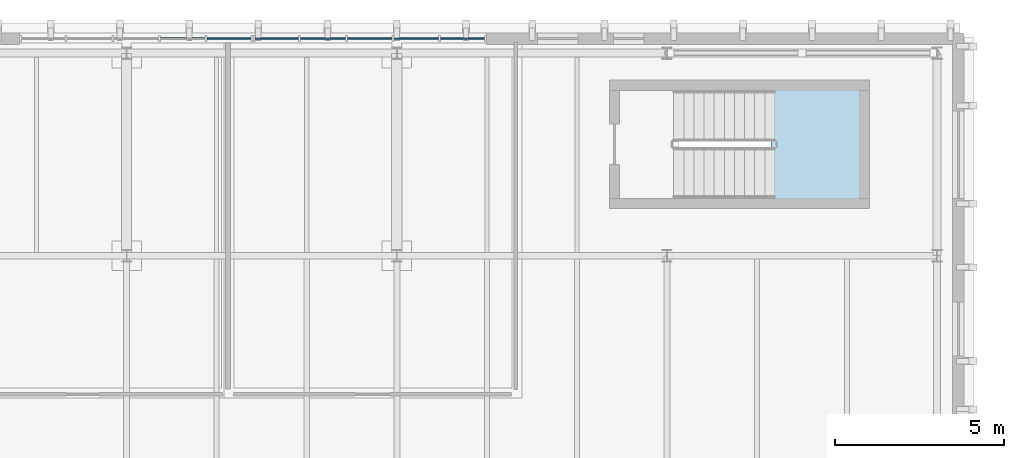
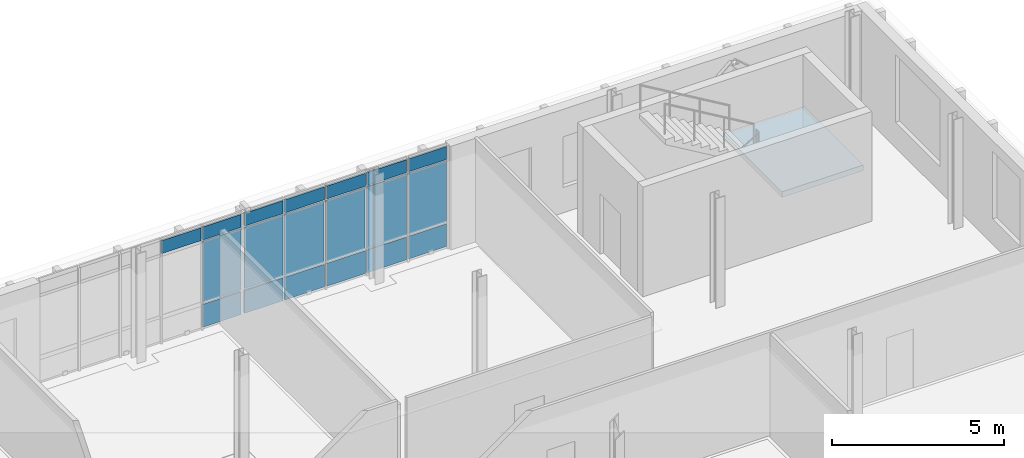
# One storey, part 18 of 43: 19 plates, 1 slab, 3 elements without a shape of their own.
"""IFC4 building model written with IfcOpenShell, lengths in metres."""

from ifc_helpers import new_model, si_unit, direction, frame, origin, origin_2d, place, context, subcontext, project, spatial, polyline, rectangle, outline, extrude, material, layer, layer_set, type_object, element, aggregate, save


model = new_model("IFC4")

# Units and contexts
model_context = context("Model", 3, precision=1e-05, world=origin(), true_north=direction((0.0, 1.0)))
body_context = subcontext(model_context, "Body", "Model", "MODEL_VIEW")
ifc_project = project(units=[si_unit("LENGTHUNIT", "METRE"), si_unit("AREAUNIT", "SQUARE_METRE"), si_unit("VOLUMEUNIT", "CUBIC_METRE"), si_unit("PLANEANGLEUNIT", "RADIAN"), si_unit("MASSUNIT", "GRAM", prefix="KILO")], contexts=[model_context])

# Site, building, storey
site_placement = place(None, origin())
site = spatial("IfcSite", under=ifc_project, at=site_placement, CompositionType="ELEMENT")
building_placement = place(site_placement, origin())
building = spatial("IfcBuilding", under=site, at=building_placement, Name="Cymarion Research Institute", CompositionType="ELEMENT")
storey_placement = place(building_placement, frame((0.0, 0.0, 22.800048828125)))
storey = spatial("IfcBuildingStorey", under=building, at=storey_placement, Name="L05", CompositionType="ELEMENT", Elevation=22.800048828125)

# Curtain wall, plates
ifc_material_1 = material(Name="Anodised aluminium unitised curtain wall with Low-E glazing", Category="aluminium")
curtain_wall_type = type_object("IfcCurtainWallType", Name="UNITISED CURTAIN WALL CW55 6910X3680", PredefinedType="NOTDEFINED", material=ifc_material_1)
curtain_wall_1_placement = place(storey_placement, origin())
curtain_wall_1 = element("IfcCurtainWall", 1, at=curtain_wall_1_placement, inside=storey, type_object=curtain_wall_type, Name="L05 V5 unitised curtain wall CW55 #210", PredefinedType="NOTDEFINED")
ifc_material_2 = material(Name="Insulated anodised aluminium spandrel panel", Category="aluminium")
ifc_layer_1 = layer(ifc_material_2, 0.06005859375)
ifc_layer_set_1 = layer_set([ifc_layer_1], Name="Insulated anodised aluminium spandrel panel")
plate_type_1 = type_object("IfcPlateType", Name="INSULATED ALUMINIUM SPANDREL PANEL SP01 60MM", PredefinedType="SHEET", material=ifc_layer_set_1)
plate_1_placement = place(storey_placement, frame((32.545654296875, 115.929931640625, 0.059814453125), z_axis=(0.0, 0.0, 1.0), x_axis=(-1.0, 0.0, 0.0)))
plate_1 = element("IfcPlate", 2, at=plate_1_placement, type_object=plate_type_1, Name="CW55 panel 1.1", PredefinedType="SHEET", context=body_context, shape_type="SweptSolid", body=[
    extrude(rectangle(XDim=1.29248046875, YDim=0.06005859375, at=origin_2d()), origin(), (0.0, 0.0, 1.0), 0.81005859375),
])
plate_2_placement = place(storey_placement, frame((32.545654296875, 115.929931640625, 3.159912109375), z_axis=(0.0, 0.0, 1.0), x_axis=(-1.0, 0.0, 0.0)))
plate_2 = element("IfcPlate", 3, at=plate_2_placement, type_object=plate_type_1, Name="CW55 panel 1.3", PredefinedType="SHEET", context=body_context, shape_type="SweptSolid", body=[
    extrude(rectangle(XDim=1.29248046875, YDim=0.06005859375, at=origin_2d()), origin(), (0.0, 0.0, 1.0), 0.4599609375),
])
plate_3_placement = place(storey_placement, frame((31.177978515625, 115.929931640625, 0.059814453125), z_axis=(0.0, 0.0, 1.0), x_axis=(-1.0, 0.0, 0.0)))
plate_3 = element("IfcPlate", 4, at=plate_3_placement, type_object=plate_type_1, Name="CW55 panel 2.1", PredefinedType="SHEET", context=body_context, shape_type="SweptSolid", body=[
    extrude(rectangle(XDim=1.322509765625, YDim=0.06005859375, at=origin_2d()), origin(), (0.0, 0.0, 1.0), 0.81005859375),
])
plate_4_placement = place(storey_placement, frame((31.177978515625, 115.929931640625, 3.159912109375), z_axis=(0.0, 0.0, 1.0), x_axis=(-1.0, 0.0, 0.0)))
plate_4 = element("IfcPlate", 5, at=plate_4_placement, type_object=plate_type_1, Name="CW55 panel 2.3", PredefinedType="SHEET", context=body_context, shape_type="SweptSolid", body=[
    extrude(rectangle(XDim=1.322509765625, YDim=0.06005859375, at=origin_2d()), origin(), (0.0, 0.0, 1.0), 0.4599609375),
])
plate_5_placement = place(storey_placement, frame((29.79541015625, 115.929931640625, 0.059814453125), z_axis=(0.0, 0.0, 1.0), x_axis=(-1.0, 0.0, 0.0)))
plate_5 = element("IfcPlate", 6, at=plate_5_placement, type_object=plate_type_1, Name="CW55 panel 3.1", PredefinedType="SHEET", context=body_context, shape_type="SweptSolid", body=[
    extrude(rectangle(XDim=1.322509765625, YDim=0.06005859375, at=origin_2d()), origin(), (0.0, 0.0, 1.0), 0.81005859375),
])
plate_6_placement = place(storey_placement, frame((29.79541015625, 115.929931640625, 3.159912109375), z_axis=(0.0, 0.0, 1.0), x_axis=(-1.0, 0.0, 0.0)))
plate_6 = element("IfcPlate", 7, at=plate_6_placement, type_object=plate_type_1, Name="CW55 panel 3.3", PredefinedType="SHEET", context=body_context, shape_type="SweptSolid", body=[
    extrude(rectangle(XDim=1.322509765625, YDim=0.06005859375, at=origin_2d()), origin(), (0.0, 0.0, 1.0), 0.4599609375),
])
plate_7_placement = place(storey_placement, frame((28.412841796875, 115.929931640625, 0.059814453125), z_axis=(0.0, 0.0, 1.0), x_axis=(-1.0, 0.0, 0.0)))
plate_7 = element("IfcPlate", 8, at=plate_7_placement, type_object=plate_type_1, Name="CW55 panel 4.1", PredefinedType="SHEET", context=body_context, shape_type="SweptSolid", body=[
    extrude(rectangle(XDim=1.322509765625, YDim=0.06005859375, at=origin_2d()), origin(), (0.0, 0.0, 1.0), 0.81005859375),
])
plate_8_placement = place(storey_placement, frame((28.412841796875, 115.929931640625, 3.159912109375), z_axis=(0.0, 0.0, 1.0), x_axis=(-1.0, 0.0, 0.0)))
plate_8 = element("IfcPlate", 9, at=plate_8_placement, type_object=plate_type_1, Name="CW55 panel 4.3", PredefinedType="SHEET", context=body_context, shape_type="SweptSolid", body=[
    extrude(rectangle(XDim=1.322509765625, YDim=0.06005859375, at=origin_2d()), origin(), (0.0, 0.0, 1.0), 0.4599609375),
])
plate_9_placement = place(storey_placement, frame((27.04541015625, 115.929931640625, 0.059814453125), z_axis=(0.0, 0.0, 1.0), x_axis=(-1.0, 0.0, 0.0)))
plate_9 = element("IfcPlate", 10, at=plate_9_placement, type_object=plate_type_1, Name="CW55 panel 5.1", PredefinedType="SHEET", context=body_context, shape_type="SweptSolid", body=[
    extrude(rectangle(XDim=1.29248046875, YDim=0.06005859375, at=origin_2d()), origin(), (0.0, 0.0, 1.0), 0.81005859375),
])
plate_10_placement = place(storey_placement, frame((27.04541015625, 115.929931640625, 3.159912109375), z_axis=(0.0, 0.0, 1.0), x_axis=(-1.0, 0.0, 0.0)))
plate_10 = element("IfcPlate", 11, at=plate_10_placement, type_object=plate_type_1, Name="CW55 panel 5.3", PredefinedType="SHEET", context=body_context, shape_type="SweptSolid", body=[
    extrude(rectangle(XDim=1.29248046875, YDim=0.06005859375, at=origin_2d()), origin(), (0.0, 0.0, 1.0), 0.4599609375),
])

curtain_wall_2_placement = place(storey_placement, origin())
curtain_wall_2 = element("IfcCurtainWall", 12, at=curtain_wall_2_placement, inside=storey, type_object=curtain_wall_type, Name="L05 V5 unitised curtain wall CW55 #211", PredefinedType="NOTDEFINED")
plate_11_placement = place(storey_placement, frame((25.6328125, 115.929931640625, 0.059814453125), z_axis=(0.0, 0.0, 1.0), x_axis=(-1.0, 0.0, 0.0)))
plate_11 = element("IfcPlate", 13, at=plate_11_placement, type_object=plate_type_1, Name="CW55 panel 1.1", PredefinedType="SHEET", context=body_context, shape_type="SweptSolid", body=[
    extrude(rectangle(XDim=1.29248046875, YDim=0.06005859375, at=origin_2d()), origin(), (0.0, 0.0, 1.0), 0.81005859375),
])
plate_12_placement = place(storey_placement, frame((25.6328125, 115.929931640625, 3.159912109375), z_axis=(0.0, 0.0, 1.0), x_axis=(-1.0, 0.0, 0.0)))
plate_12 = element("IfcPlate", 14, at=plate_12_placement, type_object=plate_type_1, Name="CW55 panel 1.3", PredefinedType="SHEET", context=body_context, shape_type="SweptSolid", body=[
    extrude(rectangle(XDim=1.29248046875, YDim=0.06005859375, at=origin_2d()), origin(), (0.0, 0.0, 1.0), 0.4599609375),
])
plate_13_placement = place(storey_placement, frame((24.26513671875, 115.929931640625, 3.159912109375), z_axis=(0.0, 0.0, 1.0), x_axis=(-1.0, 0.0, 0.0)))
plate_13 = element("IfcPlate", 15, at=plate_13_placement, type_object=plate_type_1, Name="CW55 panel 2.3", PredefinedType="SHEET", context=body_context, shape_type="SweptSolid", body=[
    extrude(rectangle(XDim=1.322509765625, YDim=0.06005859375, at=origin_2d()), origin(), (0.0, 0.0, 1.0), 0.4599609375),
])

# Stair, slab
ifc_material_3 = material(Name="Concrete C35/45", Category="concrete")
stair_type = type_object("IfcStairType", Name="REINFORCED CONCRETE DOGLEG STAIR STR-3900", PredefinedType="HALF_TURN_STAIR", material=ifc_material_3)
stair_placement = place(storey_placement, origin())
stair = element("IfcStair", 16, at=stair_placement, inside=storey, type_object=stair_type, Name="L05 Core C10 Smoke-Proof Exit Stair ST10", PredefinedType="HALF_TURN_STAIR")
ifc_layer_2 = layer(ifc_material_3, 0.199951171875)
ifc_layer_set_2 = layer_set([ifc_layer_2], Name="Concrete C35/45")
slab_type = type_object("IfcSlabType", Name="REINFORCED CONCRETE STAIR LANDING LDG200", PredefinedType="LANDING", material=ifc_layer_set_2)
slab_placement = place(storey_placement, frame((0.0, 0.0, 1.75)))
slab = element("IfcSlab", 17, at=slab_placement, type_object=slab_type, Name="ST10 landing 1", PredefinedType="LANDING", context=body_context, shape_type="SweptSolid", body=[
    extrude(outline(polyline([(41.679931640625, 111.080078125), (41.679931640625, 114.52001953125), (44.419921875, 114.52001953125), (44.419921875, 111.080078125), (41.679931640625, 111.080078125)])), origin(), (0.0, 0.0, 1.0), 0.199951171875),
])
aggregate(stair, [slab])

# Plate
ifc_material_4 = material(Name="Low-E double solar-control glazing", Category="glass")
ifc_layer_3 = layer(ifc_material_4, 0.035888671875)
ifc_layer_set_3 = layer_set([ifc_layer_3], Name="Low-E double solar-control glazing")
plate_type_2 = type_object("IfcPlateType", Name="SOLAR CONTROL GLAZED VISION PANEL GP01 36MM", PredefinedType="CURTAIN_PANEL", material=ifc_layer_set_3)
plate_14_placement = place(storey_placement, frame((32.545654296875, 115.929931640625, 0.929931640625), z_axis=(0.0, 0.0, 1.0), x_axis=(-1.0, 0.0, 0.0)))
plate_14 = element("IfcPlate", 18, at=plate_14_placement, type_object=plate_type_2, Name="CW55 panel 1.2", PredefinedType="CURTAIN_PANEL", context=body_context, shape_type="SweptSolid", body=[
    extrude(rectangle(XDim=1.29248046875, YDim=0.035888671875, at=origin_2d()), origin(), (0.0, 0.0, 1.0), 2.169921875),
])

plate_15_placement = place(storey_placement, frame((31.177978515625, 115.929931640625, 0.929931640625), z_axis=(0.0, 0.0, 1.0), x_axis=(-1.0, 0.0, 0.0)))
plate_15 = element("IfcPlate", 19, at=plate_15_placement, type_object=plate_type_2, Name="CW55 panel 2.2", PredefinedType="CURTAIN_PANEL", context=body_context, shape_type="SweptSolid", body=[
    extrude(rectangle(XDim=1.322509765625, YDim=0.035888671875, at=origin_2d()), origin(), (0.0, 0.0, 1.0), 2.169921875),
])

plate_16_placement = place(storey_placement, frame((29.79541015625, 115.929931640625, 0.929931640625), z_axis=(0.0, 0.0, 1.0), x_axis=(-1.0, 0.0, 0.0)))
plate_16 = element("IfcPlate", 20, at=plate_16_placement, type_object=plate_type_2, Name="CW55 panel 3.2", PredefinedType="CURTAIN_PANEL", context=body_context, shape_type="SweptSolid", body=[
    extrude(rectangle(XDim=1.322509765625, YDim=0.035888671875, at=origin_2d()), origin(), (0.0, 0.0, 1.0), 2.169921875),
])

plate_17_placement = place(storey_placement, frame((28.412841796875, 115.929931640625, 0.929931640625), z_axis=(0.0, 0.0, 1.0), x_axis=(-1.0, 0.0, 0.0)))
plate_17 = element("IfcPlate", 21, at=plate_17_placement, type_object=plate_type_2, Name="CW55 panel 4.2", PredefinedType="CURTAIN_PANEL", context=body_context, shape_type="SweptSolid", body=[
    extrude(rectangle(XDim=1.322509765625, YDim=0.035888671875, at=origin_2d()), origin(), (0.0, 0.0, 1.0), 2.169921875),
])

plate_18_placement = place(storey_placement, frame((27.04541015625, 115.929931640625, 0.929931640625), z_axis=(0.0, 0.0, 1.0), x_axis=(-1.0, 0.0, 0.0)))
plate_18 = element("IfcPlate", 22, at=plate_18_placement, type_object=plate_type_2, Name="CW55 panel 5.2", PredefinedType="CURTAIN_PANEL", context=body_context, shape_type="SweptSolid", body=[
    extrude(rectangle(XDim=1.29248046875, YDim=0.035888671875, at=origin_2d()), origin(), (0.0, 0.0, 1.0), 2.169921875),
])

aggregate(curtain_wall_1, [plate_1, plate_14, plate_2, plate_3, plate_15, plate_4, plate_5, plate_16, plate_6, plate_7, plate_17, plate_8, plate_9, plate_18, plate_10])

plate_19_placement = place(storey_placement, frame((25.6328125, 115.929931640625, 0.929931640625), z_axis=(0.0, 0.0, 1.0), x_axis=(-1.0, 0.0, 0.0)))
plate_19 = element("IfcPlate", 23, at=plate_19_placement, type_object=plate_type_2, Name="CW55 panel 1.2", PredefinedType="CURTAIN_PANEL", context=body_context, shape_type="SweptSolid", body=[
    extrude(rectangle(XDim=1.29248046875, YDim=0.035888671875, at=origin_2d()), origin(), (0.0, 0.0, 1.0), 2.169921875),
])

aggregate(curtain_wall_2, [plate_11, plate_19, plate_12, plate_13])

save(model, "model.ifc")
